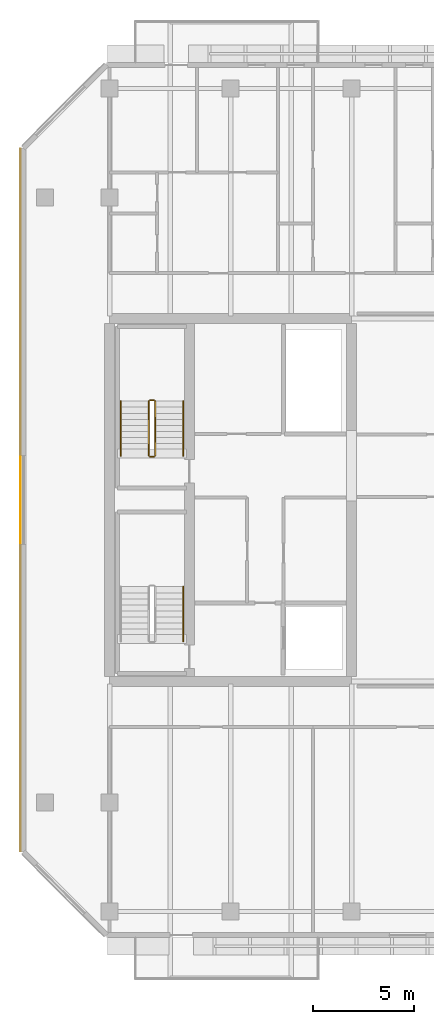
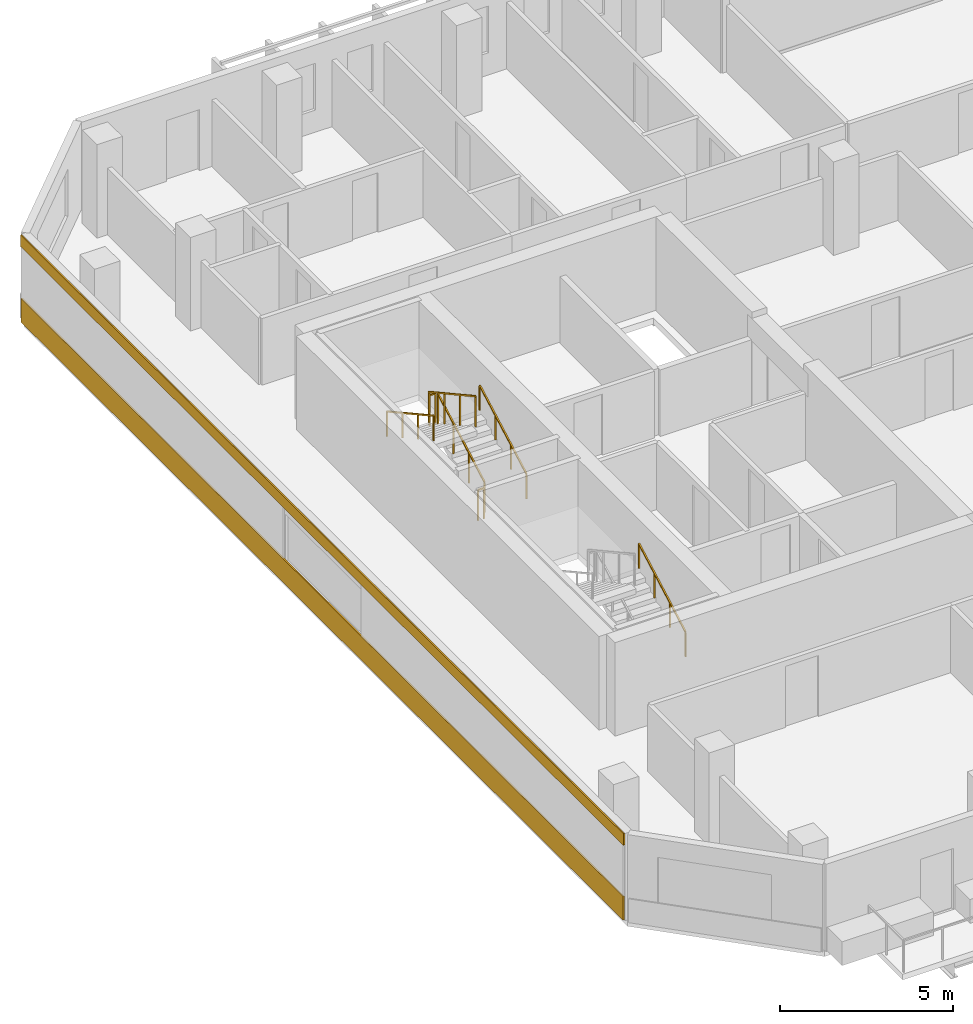
# One storey, part 16 of 19: 7 railings, 2 coverings.
"""IFC4 building model written with IfcOpenShell, lengths in metres."""

from ifc_helpers import new_model, si_unit, direction, frame, origin, origin_2d, place, context, subcontext, project, spatial, rectangle, extrude, material, layer, layer_set, type_object, element, save


model = new_model("IFC4")

# Units and contexts
model_context = context("Model", 3, precision=1e-05, world=origin(), true_north=direction((0.0, 1.0)))
body_context = subcontext(model_context, "Body", "Model", "MODEL_VIEW")
ifc_project = project(units=[si_unit("LENGTHUNIT", "METRE"), si_unit("AREAUNIT", "SQUARE_METRE"), si_unit("VOLUMEUNIT", "CUBIC_METRE"), si_unit("PLANEANGLEUNIT", "RADIAN"), si_unit("MASSUNIT", "GRAM", prefix="KILO")], contexts=[model_context])

# Site, building, storey
site_placement = place(None, origin())
site = spatial("IfcSite", under=ifc_project, at=site_placement, CompositionType="ELEMENT")
building_placement = place(site_placement, origin())
building = spatial("IfcBuilding", under=site, at=building_placement, Name="Tanjung Sevakor Pilgrim Tower", CompositionType="ELEMENT")
storey_placement = place(building_placement, frame((0.0, 0.0, 155.10009765625)))
storey = spatial("IfcBuildingStorey", under=building, at=storey_placement, Name="L43", CompositionType="ELEMENT", Elevation=155.10009765625)

# Coverings
ifc_material_1 = material(Name="Reconstructed Limestone Cladding", Category="masonry")
ifc_layer = layer(ifc_material_1, 0.044921875)
ifc_layer_set = layer_set([ifc_layer], Name="COV-CLAD-LIMESTONE")
covering_type = type_object("IfcCoveringType", Name="COV-CLAD-LIMESTONE", PredefinedType="CLADDING", material=ifc_layer_set)
covering_1_placement = place(storey_placement, frame((19.577392578125, 33.60009765625, 0.009765625), z_axis=(0.0, 0.0, 1.0), x_axis=(0.0, -1.0, 0.0)))
element("IfcCovering", 1, at=covering_1_placement, inside=storey, type_object=covering_type, Name="L43 Warm Limestone Sill Spandrel EW-L43-MAIN-15-1", PredefinedType="CLADDING", context=body_context, shape_type="SweptSolid", body=[
    extrude(rectangle(XDim=34.81640625, YDim=0.044921875, at=origin_2d()), origin(), (0.0, 0.0, 1.0), 0.840087890625),
])
covering_2_placement = place(storey_placement, frame((19.577392578125, 33.60009765625, 2.66015625), z_axis=(0.0, 0.0, 1.0), x_axis=(0.0, -1.0, 0.0)))
element("IfcCovering", 2, at=covering_2_placement, inside=storey, type_object=covering_type, Name="L43 Warm Limestone Cornice Spandrel EW-L43-MAIN-15", PredefinedType="CLADDING", context=body_context, shape_type="SweptSolid", body=[
    extrude(rectangle(XDim=34.8564453125, YDim=0.044921875, at=origin_2d()), origin(), (0.0, 0.0, 1.0), 0.409912109375),
])

# Railings
ifc_material_2 = material(Name="Steel S355J2", Category="steel")
railing_type_1 = type_object("IfcRailingType", Name="RL-STAIR-GUARD", PredefinedType="GUARDRAIL", material=ifc_material_2)
railing_1_placement = place(storey_placement, frame((26.25, 35.800048828125, 0.164794921875)))
element("IfcRailing", 3, at=railing_1_placement, inside=storey, type_object=railing_type_1, Name="L43 TS-W2 stair guard 1", PredefinedType="GUARDRAIL", context=body_context, shape_type="SweptSolid", body=[
    extrude(rectangle(XDim=0.0479, YDim=0.0479), frame((0.0, 0.0, 1.076171875), z_axis=(0.0, 0.876197507361, 0.481952205197), x_axis=(-1.0, 0.0, 0.0)), (0.0, 0.0, 1.0), 3.08154296875),
    extrude(rectangle(XDim=0.042, YDim=0.042), origin(), (0.0, 0.0, 1.0), 1.052001953125),
    extrude(rectangle(XDim=0.042, YDim=0.042), frame((0.0, 0.89990234375, 0.4951171875)), (0.0, 0.0, 1.0), 1.052001953125),
    extrude(rectangle(XDim=0.042, YDim=0.042), frame((0.0, 1.800048828125, 0.989990234375)), (0.0, 0.0, 1.0), 1.052001953125),
    extrude(rectangle(XDim=0.042, YDim=0.042), frame((0.0, 2.699951171875, 1.485107421875)), (0.0, 0.0, 1.0), 1.052001953125),
])
railing_2_placement = place(storey_placement, frame((26.199951171875, 38.550048828125, 1.64990234375)))
element("IfcRailing", 4, at=railing_2_placement, inside=storey, type_object=railing_type_1, Name="L43 TS-W2 stair guard 2", PredefinedType="GUARDRAIL", context=body_context, shape_type="SweptSolid", body=[
    extrude(rectangle(XDim=0.0479, YDim=0.0479), frame((0.0, 0.0, 1.076171875), z_axis=(-1.0, 0.0, 0.0), x_axis=(0.0, -1.0, 0.0)), (0.0, 0.0, 1.0), 0.199951171875),
    extrude(rectangle(XDim=0.042, YDim=0.042), origin(), (0.0, 0.0, 1.0), 1.052001953125),
    extrude(rectangle(XDim=0.042, YDim=0.042), frame((-0.199951171875, 0.0, 0.0)), (0.0, 0.0, 1.0), 1.052001953125),
])
railing_3_placement = place(storey_placement, frame((25.949951171875, 38.5, 1.81494140625)))
element("IfcRailing", 5, at=railing_3_placement, inside=storey, type_object=railing_type_1, Name="L43 TS-W2 stair guard 3", PredefinedType="GUARDRAIL", context=body_context, shape_type="SweptSolid", body=[
    extrude(rectangle(XDim=0.0479, YDim=0.0479), frame((0.0, 0.0, 1.076171875), z_axis=(0.0, -0.876230963923, 0.481891375584), x_axis=(1.0, 0.0, 0.0)), (0.0, 0.0, 1.0), 3.081298828125),
    extrude(rectangle(XDim=0.042, YDim=0.042), origin(), (0.0, 0.0, 1.0), 1.052001953125),
    extrude(rectangle(XDim=0.042, YDim=0.042), frame((0.0, -0.89990234375, 0.494873046875)), (0.0, 0.0, 1.0), 1.052001953125),
    extrude(rectangle(XDim=0.042, YDim=0.042), frame((0.0, -1.800048828125, 0.989990234375)), (0.0, 0.0, 1.0), 1.052001953125),
    extrude(rectangle(XDim=0.042, YDim=0.042), frame((0.0, -2.699951171875, 1.48486328125)), (0.0, 0.0, 1.0), 1.052001953125),
])
railing_4_placement = place(storey_placement, frame((26.199951171875, 35.75, 0.0)))
element("IfcRailing", 6, at=railing_4_placement, inside=storey, type_object=railing_type_1, Name="L43 TS-W2 stair guard 4", PredefinedType="GUARDRAIL", context=body_context, shape_type="SweptSolid", body=[
    extrude(rectangle(XDim=0.0479, YDim=0.0479), frame((0.0, 0.0, 1.076171875), z_axis=(-1.0, 0.0, 0.0), x_axis=(0.0, -1.0, 0.0)), (0.0, 0.0, 1.0), 0.199951171875),
    extrude(rectangle(XDim=0.042, YDim=0.042), origin(), (0.0, 0.0, 1.0), 1.052001953125),
    extrude(rectangle(XDim=0.042, YDim=0.042), frame((-0.199951171875, 0.0, 0.0)), (0.0, 0.0, 1.0), 1.052001953125),
])
ifc_material_3 = material(Name="Steel S355J2", Category="steel")
railing_type_2 = type_object("IfcRailingType", Name="RL-STAIR-HAND", PredefinedType="HANDRAIL", material=ifc_material_3)
for number, where, name in (
    (7, (27.64990234375, 26.60009765625, 0.164794921875), "L43 TS-W1 stair handrail 1"),
    (8, (27.64990234375, 35.800048828125, 0.164794921875), "L43 TS-W2 stair handrail 1"),
):
    element("IfcRailing", number, at=place(storey_placement, frame(where)), inside=storey, type_object=railing_type_2, Name=name, PredefinedType="HANDRAIL", context=body_context, shape_type="SweptSolid", body=[
        extrude(rectangle(XDim=0.0479, YDim=0.0479), frame((0.0, 0.0, 0.8759765625), z_axis=(0.0, 0.876197507361, 0.481952205197), x_axis=(-1.0, 0.0, 0.0)), (0.0, 0.0, 1.0), 3.08154296875),
        extrude(rectangle(XDim=0.042, YDim=0.042), origin(), (0.0, 0.0, 1.0), 0.851806640625),
        extrude(rectangle(XDim=0.042, YDim=0.042), frame((0.0, 0.89990234375, 0.4951171875)), (0.0, 0.0, 1.0), 0.851806640625),
        extrude(rectangle(XDim=0.042, YDim=0.042), frame((0.0, 1.800048828125, 0.989990234375)), (0.0, 0.0, 1.0), 0.851806640625),
        extrude(rectangle(XDim=0.042, YDim=0.042), frame((0.0, 2.699951171875, 1.485107421875)), (0.0, 0.0, 1.0), 0.851806640625),
    ])
railing_5_placement = place(storey_placement, frame((24.550048828125, 38.5, 1.81494140625)))
element("IfcRailing", 9, at=railing_5_placement, inside=storey, type_object=railing_type_2, Name="L43 TS-W2 stair handrail 2", PredefinedType="HANDRAIL", context=body_context, shape_type="SweptSolid", body=[
    extrude(rectangle(XDim=0.0479, YDim=0.0479), frame((0.0, 0.0, 0.8759765625), z_axis=(0.0, -0.876230963923, 0.481891375584), x_axis=(1.0, 0.0, 0.0)), (0.0, 0.0, 1.0), 3.081298828125),
    extrude(rectangle(XDim=0.042, YDim=0.042), origin(), (0.0, 0.0, 1.0), 0.851806640625),
    extrude(rectangle(XDim=0.042, YDim=0.042), frame((0.0, -0.89990234375, 0.494873046875)), (0.0, 0.0, 1.0), 0.851806640625),
    extrude(rectangle(XDim=0.042, YDim=0.042), frame((0.0, -1.800048828125, 0.989990234375)), (0.0, 0.0, 1.0), 0.851806640625),
    extrude(rectangle(XDim=0.042, YDim=0.042), frame((0.0, -2.699951171875, 1.48486328125)), (0.0, 0.0, 1.0), 0.851806640625),
])

save(model, "model.ifc")
